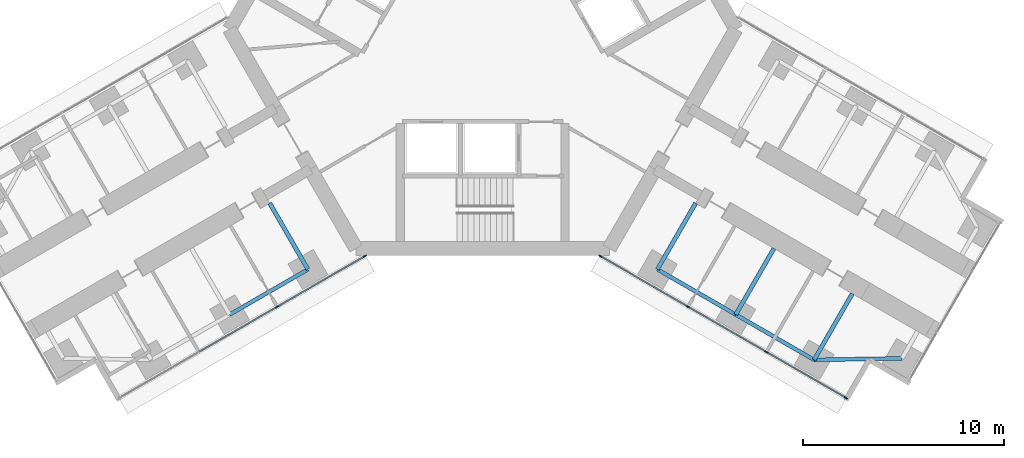
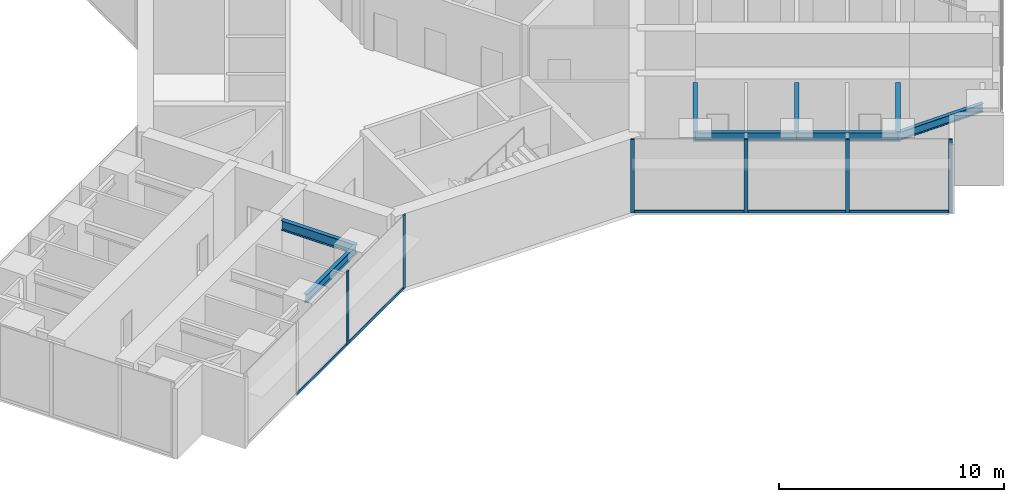
# One storey, part 9 of 24: 11 members, 8 beams, 2 elements without a shape of their own.
"""IFC4 building model written with IfcOpenShell, lengths in metres."""

import ifcopenshell
import ifcopenshell.guid

model = None  # the IFC model being written
_history = None  # IfcOwnerHistory: only IFC2X3 demands one
_inside = {}  # id of a spatial element -> (the spatial element, [elements in it])
_under = {}  # id of a project, library or spatial element -> (it, [spatial elements below it])
_declared = {}  # id of a project -> (the project, [libraries it declares])
_typed = {}  # id of a type object -> (the type object, [elements of that type])
_made_of = {}  # id of a material, layer set ... -> (it, [elements and type objects made of it])


def new_model(schema):
    """Start an empty IFC model of exactly this schema.

    Asked for "IFC4X3", IfcOpenShell would pick the latest addendum, in which some entities
    have other attributes; the version numbers below select the first issue.
    IFC2X3 requires an IfcOwnerHistory on every rooted entity: one is made here for all.
    """
    global model, _history
    if schema == "IFC4X3":
        model = ifcopenshell.file(schema_version=(4, 3, 0, 0))
    else:
        model = ifcopenshell.file(schema=schema)
    _inside.clear()
    _under.clear()
    _declared.clear()
    _typed.clear()
    _made_of.clear()
    _history = None
    if model.schema == "IFC2X3":
        org = make("IfcOrganization", Name="unknown")
        user = make(
            "IfcPersonAndOrganization",
            ThePerson=make("IfcPerson", FamilyName="unknown"),
            TheOrganization=org,
        )
        app = make(
            "IfcApplication",
            ApplicationDeveloper=org,
            Version="unknown",
            ApplicationFullName="unknown",
            ApplicationIdentifier="unknown",
        )
        _history = make(
            "IfcOwnerHistory",
            OwningUser=user,
            OwningApplication=app,
            ChangeAction="ADDED",
            CreationDate=0,
        )
    return model


def make(cls, **values):
    """One entity of the class cls with the attributes given. An attribute that is None is left unset."""
    return model.create_entity(
        cls, **{name: value for name, value in values.items() if value is not None}
    )


def rooted(cls, **values):
    """An entity with a GlobalId (a new one), such as an element, a storey or a relation."""
    return make(cls, GlobalId=ifcopenshell.guid.new(), OwnerHistory=_history, **values)


def si_unit(unit_type, name, prefix=None):
    """IfcSIUnit, for example si_unit("LENGTHUNIT", "METRE", prefix="MILLI")."""
    return make("IfcSIUnit", UnitType=unit_type, Prefix=prefix, Name=name)


def assignment(units):
    """IfcUnitAssignment: the units of a project."""
    return None if units is None else make("IfcUnitAssignment", Units=units)


def point(xyz):
    """IfcCartesianPoint."""
    return None if xyz is None else make("IfcCartesianPoint", Coordinates=xyz)


def direction(xyz):
    """IfcDirection."""
    return None if xyz is None else make("IfcDirection", DirectionRatios=xyz)


def frame(location, z_axis=None, x_axis=None):
    """IfcAxis2Placement3D, a coordinate frame: its origin and axes. An axis left out is left unset."""
    return make(
        "IfcAxis2Placement3D",
        Location=point(location),
        Axis=direction(z_axis),
        RefDirection=direction(x_axis),
    )


def frame_2d(location, x_axis=None):
    """IfcAxis2Placement2D, a coordinate frame in the plane: its origin and x axis."""
    return make(
        "IfcAxis2Placement2D", Location=point(location), RefDirection=direction(x_axis)
    )


def origin():
    """The frame at (0, 0, 0) with its axes left unset."""
    return frame((0.0, 0.0, 0.0))


def origin_2d():
    """The frame at (0, 0) in the plane with its x axis left unset."""
    return frame_2d((0.0, 0.0))


def place(relative_to, where):
    """IfcLocalPlacement: puts the frame where relative to a parent placement (None: the world)."""
    return make(
        "IfcLocalPlacement", PlacementRelTo=relative_to, RelativePlacement=where
    )


def context(
    kind, dimensions, precision=None, world=None, true_north=None, identifier=None
):
    """IfcGeometricRepresentationContext, for example the 3D "Model" context."""
    return make(
        "IfcGeometricRepresentationContext",
        ContextIdentifier=identifier,
        ContextType=kind,
        CoordinateSpaceDimension=dimensions,
        Precision=precision,
        WorldCoordinateSystem=world,
        TrueNorth=true_north,
    )


def subcontext(parent, identifier, kind, view, scale=None):
    """IfcGeometricRepresentationSubContext, for example "Body" below "Model"."""
    return make(
        "IfcGeometricRepresentationSubContext",
        ContextIdentifier=identifier,
        ContextType=kind,
        ParentContext=parent,
        TargetScale=scale,
        TargetView=view,
    )


def project(units=None, contexts=None):
    """IfcProject with its units and contexts."""
    return rooted(
        "IfcProject",
        Name="project",
        RepresentationContexts=contexts,
        UnitsInContext=assignment(units),
    )


def spatial(cls, under=None, at=None, **own):
    """A site, building, storey or space (cls), placed at a placement, below another one or the project."""
    s = rooted(cls, ObjectPlacement=at, **own)
    if under is not None:
        _under.setdefault(under.id(), (under, []))[1].append(s)
    return s


def profile(cls, at=None, kind="AREA", **sizes):
    """A parametric profile (cls). Its sizes go by their IFC names, for example OverallWidth=200.0."""
    return make(cls, ProfileType=kind, Position=at, **sizes)


def rectangle(**sizes):
    """IfcRectangleProfileDef."""
    return profile("IfcRectangleProfileDef", **sizes)


def i_section(**sizes):
    """IfcIShapeProfileDef."""
    return profile("IfcIShapeProfileDef", **sizes)


def extrude(swept, where, along, depth):
    """IfcExtrudedAreaSolid: the profile swept, set in the frame where, extruded along a direction by depth."""
    return make(
        "IfcExtrudedAreaSolid",
        SweptArea=swept,
        Position=where,
        ExtrudedDirection=direction(along),
        Depth=depth,
    )


def shape(context_of_items, identifier, shape_type, items):
    """IfcShapeRepresentation: the items that make up one representation, for example the "Body"."""
    return make(
        "IfcShapeRepresentation",
        ContextOfItems=context_of_items,
        RepresentationIdentifier=identifier,
        RepresentationType=shape_type,
        Items=items,
    )


def material(Name=None, Category=None):
    """IfcMaterial."""
    return make("IfcMaterial", Name=Name, Category=Category)


def material_profile(
    of_material, cross_section, Name=None, Category=None, Priority=None
):
    """IfcMaterialProfile: a cross section and its material."""
    return make(
        "IfcMaterialProfile",
        Name=Name,
        Material=of_material,
        Profile=cross_section,
        Priority=Priority,
        Category=Category,
    )


def profile_set(profiles, Name=None, composite=None):
    """IfcMaterialProfileSet."""
    return make(
        "IfcMaterialProfileSet",
        Name=Name,
        MaterialProfiles=profiles,
        CompositeProfile=composite,
    )


def made_of(thing, what):
    """Note that an element or type object is made of a material, layer set ...; save() writes the relation."""
    if what is not None:
        _made_of.setdefault(what.id(), (what, []))[1].append(thing)
    return thing


def type_object(cls, material=None, **own):
    """A type object (cls), such as IfcWallType, which elements share."""
    return made_of(rooted(cls, **own), material)


def element(
    cls,
    number,
    at=None,
    inside=None,
    cuts=None,
    type_object=None,
    material=None,
    context=None,
    identifier="Body",
    shape_type=None,
    held_by="IfcProductDefinitionShape",
    body=None,
    shapes=None,
    **own,
):
    """One element of the class cls, such as IfcWall. Its Tag is "e" and its number.

    at: its placement. inside: the storey or other place that contains it. cuts: it is an
    opening in that element (IfcRelVoidsElement). A single representation is given by context,
    identifier, shape_type and body (its items); several are given by shapes. held_by: the class
    of the entity that holds the representations. save() writes the other relations.
    """
    e = rooted(cls, Tag="e%d" % number, ObjectPlacement=at, **own)
    if body is not None:
        shapes = [shape(context, identifier, shape_type, body)]
    if shapes is not None:
        e.Representation = make(held_by, Representations=shapes)
    if inside is not None:
        _inside.setdefault(inside.id(), (inside, []))[1].append(e)
    if cuts is not None:
        rooted(
            "IfcRelVoidsElement", RelatingBuildingElement=cuts, RelatedOpeningElement=e
        )
    if type_object is not None:
        _typed.setdefault(type_object.id(), (type_object, []))[1].append(e)
    return made_of(e, material)


def aggregate(whole, parts):
    """IfcRelAggregates: a whole, such as a stair, and the parts it consists of."""
    return rooted("IfcRelAggregates", RelatingObject=whole, RelatedObjects=parts)


def save(model, path):
    """Write the relations noted so far, then the file.

    IfcRelAggregates (storeys below a building ...), IfcRelContainedInSpatialStructure (elements
    in a storey), IfcRelDefinesByType, IfcRelAssociatesMaterial and IfcRelDeclares: one each for
    every whole, place, type object, material and project.
    """
    for whole, parts in _under.values():
        aggregate(whole, parts)
    for where, things in _inside.values():
        rooted(
            "IfcRelContainedInSpatialStructure",
            RelatedElements=things,
            RelatingStructure=where,
        )
    for kind, things in _typed.values():
        rooted("IfcRelDefinesByType", RelatedObjects=things, RelatingType=kind)
    for what, things in _made_of.values():
        rooted("IfcRelAssociatesMaterial", RelatedObjects=things, RelatingMaterial=what)
    for by, libraries in _declared.values():
        rooted("IfcRelDeclares", RelatingContext=by, RelatedDefinitions=libraries)
    model.write(path)


model = new_model("IFC4")

# Units and contexts
model_context = context("Model", 3, precision=1e-05, world=origin(), true_north=direction((0.0, 1.0)))
body_context = subcontext(model_context, "Body", "Model", "MODEL_VIEW")
ifc_project = project(units=[si_unit("LENGTHUNIT", "METRE"), si_unit("AREAUNIT", "SQUARE_METRE"), si_unit("VOLUMEUNIT", "CUBIC_METRE"), si_unit("PLANEANGLEUNIT", "RADIAN"), si_unit("MASSUNIT", "GRAM", prefix="KILO")], contexts=[model_context])

# Site, building, storey
site_placement = place(None, origin())
site = spatial("IfcSite", under=ifc_project, at=site_placement, CompositionType="ELEMENT")
building_placement = place(site_placement, origin())
building = spatial("IfcBuilding", under=site, at=building_placement, Name="Upepo Twin Towers", CompositionType="ELEMENT")
storey_placement = place(building_placement, frame((0.0, 0.0, 60.5)))
storey = spatial("IfcBuildingStorey", under=building, at=storey_placement, Name="L14", CompositionType="ELEMENT", Elevation=60.5)

# Beams
ifc_material_1 = material(Name="Steel S355", Category="steel")
ifc_material_profile_1 = material_profile(ifc_material_1, i_section(OverallWidth=0.1904296875, OverallDepth=0.45703125, WebThickness=0.009033203125, FlangeThickness=0.014404296875, FilletRadius=0.01025390625, at=origin_2d()), Name="UB 457x191x74")
ifc_profile_set_1 = profile_set([ifc_material_profile_1], Name="Steel S355")
beam_type_1 = type_object("IfcBeamType", Name="Beam UB 457x191x74", PredefinedType="BEAM", material=ifc_profile_set_1)
for number, where, z_axis, x_axis, name in (
    (1, (49.80859375, -29.946044921875, 3.571533203125), (-0.866017533419, -0.500013631625, 0.0), (0.500013631625, -0.866017533419, 0.0), "T2 edge beam BL 13.5-18.0"),
    (2, (67.19140625, -29.946044921875, 3.571533203125), (0.866017533419, -0.500013631625, 0.0), (0.500013631625, 0.866017533419, 0.0), "T2 edge beam CR 13.5-18.0"),
):
    element("IfcBeam", number, at=place(storey_placement, frame(where, z_axis=z_axis, x_axis=x_axis)), inside=storey, type_object=beam_type_1, Name=name, PredefinedType="BEAM", context=body_context, shape_type="SweptSolid", body=[
        extrude(i_section(OverallWidth=0.1904296875, OverallDepth=0.45703125, WebThickness=0.009033203125, FlangeThickness=0.014404296875, FilletRadius=0.01025390625, at=origin_2d()), origin(), (0.0, 0.0, 1.0), 4.499755859375),
    ])
beam_1_placement = place(storey_placement, frame((71.08837890625, -32.196044921875, 3.571533203125), z_axis=(0.866031096941, -0.499990139034, 0.0), x_axis=(0.499990139034, 0.866031096941, 0.0)))
element("IfcBeam", 3, at=beam_1_placement, inside=storey, type_object=beam_type_1, Name="T2 edge beam CR 18.0-22.5", PredefinedType="BEAM", context=body_context, shape_type="SweptSolid", body=[
    extrude(i_section(OverallWidth=0.1904296875, OverallDepth=0.45703125, WebThickness=0.009033203125, FlangeThickness=0.014404296875, FilletRadius=0.01025390625, at=origin_2d()), origin(), (0.0, 0.0, 1.0), 4.5),
])
beam_2_placement = place(storey_placement, frame((74.985595703125, -34.446044921875, 3.571533203125), z_axis=(0.999858804832, 0.016803880528, 0.0), x_axis=(-0.016803880528, 0.999858804832, 0.0)))
element("IfcBeam", 4, at=beam_2_placement, inside=storey, type_object=beam_type_1, Name="T2 nose edge beam CR", PredefinedType="BEAM", context=body_context, shape_type="SweptSolid", body=[
    extrude(i_section(OverallWidth=0.1904296875, OverallDepth=0.45703125, WebThickness=0.009033203125, FlangeThickness=0.014404296875, FilletRadius=0.01025390625, at=origin_2d()), origin(), (0.0, 0.0, 1.0), 4.373291015625),
])
ifc_material_2 = material(Name="Steel S355", Category="steel")
ifc_material_profile_2 = material_profile(ifc_material_2, i_section(OverallWidth=0.209228515625, OverallDepth=0.533203125, WebThickness=0.010009765625, FlangeThickness=0.015625, FilletRadius=0.0126953125, at=origin_2d()), Name="UB 533x210x92")
ifc_profile_set_2 = profile_set([ifc_material_profile_2], Name="Steel S355")
beam_type_2 = type_object("IfcBeamType", Name="Beam UB 533x210x92", PredefinedType="BEAM", material=ifc_profile_set_2)
for number, where, z_axis, x_axis, name in (
    (5, (49.80859375, -29.946044921875, 3.533447265625), (-0.499994975061, 0.866028304915, 0.0), (-0.866028304915, -0.499994975061, 0.0), "T2 girder BL at 13.5"),
    (6, (67.19140625, -29.946044921875, 3.533447265625), (0.499994975061, 0.866028304915, 0.0), (-0.866028304915, 0.499994975061, 0.0), "T2 girder CR at 13.5"),
):
    element("IfcBeam", number, at=place(storey_placement, frame(where, z_axis=z_axis, x_axis=x_axis)), inside=storey, type_object=beam_type_2, Name=name, PredefinedType="BEAM", context=body_context, shape_type="SweptSolid", body=[
        extrude(i_section(OverallWidth=0.209228515625, OverallDepth=0.533203125, WebThickness=0.010009765625, FlangeThickness=0.015625, FilletRadius=0.0126953125, at=origin_2d()), origin(), (0.0, 0.0, 1.0), 3.7998046875),
    ])
beam_3_placement = place(storey_placement, frame((71.08837890625, -32.196044921875, 3.533447265625), z_axis=(0.500043160704, 0.866000483506, 0.0), x_axis=(-0.866000483506, 0.500043160704, 0.0)))
element("IfcBeam", 7, at=beam_3_placement, inside=storey, type_object=beam_type_2, Name="T2 girder CR at 18.0", PredefinedType="BEAM", context=body_context, shape_type="SweptSolid", body=[
    extrude(i_section(OverallWidth=0.209228515625, OverallDepth=0.533203125, WebThickness=0.010009765625, FlangeThickness=0.015625, FilletRadius=0.0126953125, at=origin_2d()), origin(), (0.0, 0.0, 1.0), 3.800048828125),
])
beam_4_placement = place(storey_placement, frame((74.985595703125, -34.446044921875, 3.533447265625), z_axis=(0.499994975061, 0.866028304915, 0.0), x_axis=(-0.866028304915, 0.499994975061, 0.0)))
element("IfcBeam", 8, at=beam_4_placement, inside=storey, type_object=beam_type_2, Name="T2 girder CR at 22.5", PredefinedType="BEAM", context=body_context, shape_type="SweptSolid", body=[
    extrude(i_section(OverallWidth=0.209228515625, OverallDepth=0.533203125, WebThickness=0.010009765625, FlangeThickness=0.015625, FilletRadius=0.0126953125, at=origin_2d()), origin(), (0.0, 0.0, 1.0), 3.7998046875),
])

# Curtain wall, members
ifc_material_3 = material(Name="Aluminium and fritted glass", Category="aluminium")
curtain_wall_type = type_object("IfcCurtainWallType", Name="Tower curtain wall TW1, fritted glass", PredefinedType="NOTDEFINED", material=ifc_material_3)
curtain_wall_1_placement = place(storey_placement, origin())
curtain_wall_1 = element("IfcCurtainWall", 9, at=curtain_wall_1_placement, inside=storey, type_object=curtain_wall_type, Name="T2 L14 wing B flank L curtain wall", PredefinedType="NOTDEFINED")
ifc_material_4 = material(Name="Aluminium mullion", Category="aluminium")
ifc_material_profile_3 = material_profile(ifc_material_4, rectangle(XDim=0.06494140625, YDim=0.179931640625, at=origin_2d()), Name="MULLION 65x180")
ifc_profile_set_3 = profile_set([ifc_material_profile_3], Name="Aluminium mullion")
member_type_1 = type_object("IfcMemberType", Name="Mullion 65x180 TW1", PredefinedType="MULLION", material=ifc_profile_set_3)
member_1_placement = place(storey_placement, frame((52.6416015625, -29.2919921875, 0.0), z_axis=(0.0, 0.0, 1.0), x_axis=(0.500000024426, -0.866025389682, 0.0)))
member_1 = element("IfcMember", 10, at=member_1_placement, type_object=member_type_1, Name="T2 L14 wing B flank L curtain wall mullion 1", PredefinedType="MULLION", context=body_context, shape_type="SweptSolid", body=[
    extrude(rectangle(XDim=0.06494140625, YDim=0.179931640625, at=origin_2d()), origin(), (0.0, 0.0, 1.0), 4.0),
])
member_2_placement = place(storey_placement, frame((48.28515625, -31.807373046875, 0.0), z_axis=(0.0, 0.0, 1.0), x_axis=(0.500000024426, -0.866025389682, 0.0)))
member_2 = element("IfcMember", 11, at=member_2_placement, type_object=member_type_1, Name="T2 L14 wing B flank L curtain wall mullion 2", PredefinedType="MULLION", context=body_context, shape_type="SweptSolid", body=[
    extrude(rectangle(XDim=0.06494140625, YDim=0.179931640625, at=origin_2d()), origin(), (0.0, 0.0, 1.0), 4.0),
])

curtain_wall_2_placement = place(storey_placement, origin())
curtain_wall_2 = element("IfcCurtainWall", 12, at=curtain_wall_2_placement, inside=storey, type_object=curtain_wall_type, Name="T2 L14 wing C flank R curtain wall", PredefinedType="NOTDEFINED")
member_3_placement = place(storey_placement, frame((76.567626953125, -36.341064453125, 0.0), z_axis=(0.0, 0.0, 1.0), x_axis=(-0.500000024426, -0.866025389682, 0.0)))
member_3 = element("IfcMember", 13, at=member_3_placement, type_object=member_type_1, Name="T2 L14 wing C flank R curtain wall mullion 1", PredefinedType="MULLION", context=body_context, shape_type="SweptSolid", body=[
    extrude(rectangle(XDim=0.06494140625, YDim=0.179931640625, at=origin_2d()), origin(), (0.0, 0.0, 1.0), 4.0),
])
member_4_placement = place(storey_placement, frame((72.612060546875, -34.057373046875, 0.0), z_axis=(0.0, 0.0, 1.0), x_axis=(-0.500000024426, -0.866025389682, 0.0)))
member_4 = element("IfcMember", 14, at=member_4_placement, type_object=member_type_1, Name="T2 L14 wing C flank R curtain wall mullion 2", PredefinedType="MULLION", context=body_context, shape_type="SweptSolid", body=[
    extrude(rectangle(XDim=0.06494140625, YDim=0.179931640625, at=origin_2d()), origin(), (0.0, 0.0, 1.0), 4.0),
])
member_5_placement = place(storey_placement, frame((68.71484375, -31.807373046875, 0.0), z_axis=(0.0, 0.0, 1.0), x_axis=(-0.500000024426, -0.866025389682, 0.0)))
member_5 = element("IfcMember", 15, at=member_5_placement, type_object=member_type_1, Name="T2 L14 wing C flank R curtain wall mullion 3", PredefinedType="MULLION", context=body_context, shape_type="SweptSolid", body=[
    extrude(rectangle(XDim=0.06494140625, YDim=0.179931640625, at=origin_2d()), origin(), (0.0, 0.0, 1.0), 4.0),
])
member_6_placement = place(storey_placement, frame((64.3583984375, -29.2919921875, 0.0), z_axis=(0.0, 0.0, 1.0), x_axis=(-0.500000024426, -0.866025389682, 0.0)))
member_6 = element("IfcMember", 16, at=member_6_placement, type_object=member_type_1, Name="T2 L14 wing C flank R curtain wall mullion 4", PredefinedType="MULLION", context=body_context, shape_type="SweptSolid", body=[
    extrude(rectangle(XDim=0.06494140625, YDim=0.179931640625, at=origin_2d()), origin(), (0.0, 0.0, 1.0), 4.0),
])

# Member
ifc_material_5 = material(Name="Aluminium transom", Category="aluminium")
ifc_material_profile_4 = material_profile(ifc_material_5, rectangle(XDim=0.06494140625, YDim=0.14990234375, at=origin_2d()), Name="TRANSOM 65x150")
ifc_profile_set_4 = profile_set([ifc_material_profile_4], Name="Aluminium transom")
member_type_2 = type_object("IfcMemberType", Name="Transom 65x150 TW1", PredefinedType="USERDEFINED", material=ifc_profile_set_4)
member_7_placement = place(storey_placement, frame((52.61328125, -29.308349609375, 0.074951171875), z_axis=(-0.866022642139, -0.50000478328, 0.0), x_axis=(0.50000478328, -0.866022642139, 0.0)))
member_7 = element("IfcMember", 17, at=member_7_placement, type_object=member_type_2, Name="T2 L14 wing B flank L curtain wall transom 1", ObjectType="TRANSOM", PredefinedType="USERDEFINED", context=body_context, shape_type="SweptSolid", body=[
    extrude(rectangle(XDim=0.06494140625, YDim=0.14990234375, at=origin_2d()), origin(), (0.0, 0.0, 1.0), 4.96533203125),
])

member_8_placement = place(storey_placement, frame((48.2568359375, -31.823486328125, 0.074951171875), z_axis=(-0.866022410713, -0.500005184116, 0.0), x_axis=(0.500005184116, -0.866022410713, 0.0)))
member_8 = element("IfcMember", 18, at=member_8_placement, type_object=member_type_2, Name="T2 L14 wing B flank L curtain wall transom 2", ObjectType="TRANSOM", PredefinedType="USERDEFINED", context=body_context, shape_type="SweptSolid", body=[
    extrude(rectangle(XDim=0.06494140625, YDim=0.14990234375, at=origin_2d()), origin(), (0.0, 0.0, 1.0), 4.43505859375),
])

aggregate(curtain_wall_1, [member_1, member_2, member_7, member_8])

member_9_placement = place(storey_placement, frame((76.53955078125, -36.32470703125, 0.074951171875), z_axis=(-0.866035699072, 0.499982167615, 0.0), x_axis=(-0.499982167615, -0.866035699072, 0.0)))
member_9 = element("IfcMember", 19, at=member_9_placement, type_object=member_type_2, Name="T2 L14 wing C flank R curtain wall transom 1", ObjectType="TRANSOM", PredefinedType="USERDEFINED", context=body_context, shape_type="SweptSolid", body=[
    extrude(rectangle(XDim=0.06494140625, YDim=0.14990234375, at=origin_2d()), origin(), (0.0, 0.0, 1.0), 4.502685546875),
])

member_10_placement = place(storey_placement, frame((72.583984375, -34.041015625, 0.074951171875), z_axis=(-0.866022410713, 0.500005184116, 0.0), x_axis=(-0.500005184116, -0.866022410713, 0.0)))
member_10 = element("IfcMember", 20, at=member_10_placement, type_object=member_type_2, Name="T2 L14 wing C flank R curtain wall transom 2", ObjectType="TRANSOM", PredefinedType="USERDEFINED", context=body_context, shape_type="SweptSolid", body=[
    extrude(rectangle(XDim=0.06494140625, YDim=0.14990234375, at=origin_2d()), origin(), (0.0, 0.0, 1.0), 4.43505859375),
])

member_11_placement = place(storey_placement, frame((68.686767578125, -31.791015625, 0.074951171875), z_axis=(-0.866022642139, 0.50000478328, 0.0), x_axis=(-0.50000478328, -0.866022642139, 0.0)))
member_11 = element("IfcMember", 21, at=member_11_placement, type_object=member_type_2, Name="T2 L14 wing C flank R curtain wall transom 3", ObjectType="TRANSOM", PredefinedType="USERDEFINED", context=body_context, shape_type="SweptSolid", body=[
    extrude(rectangle(XDim=0.06494140625, YDim=0.14990234375, at=origin_2d()), origin(), (0.0, 0.0, 1.0), 4.96533203125),
])

aggregate(curtain_wall_2, [member_3, member_4, member_5, member_6, member_9, member_10, member_11])

save(model, "model.ifc")
